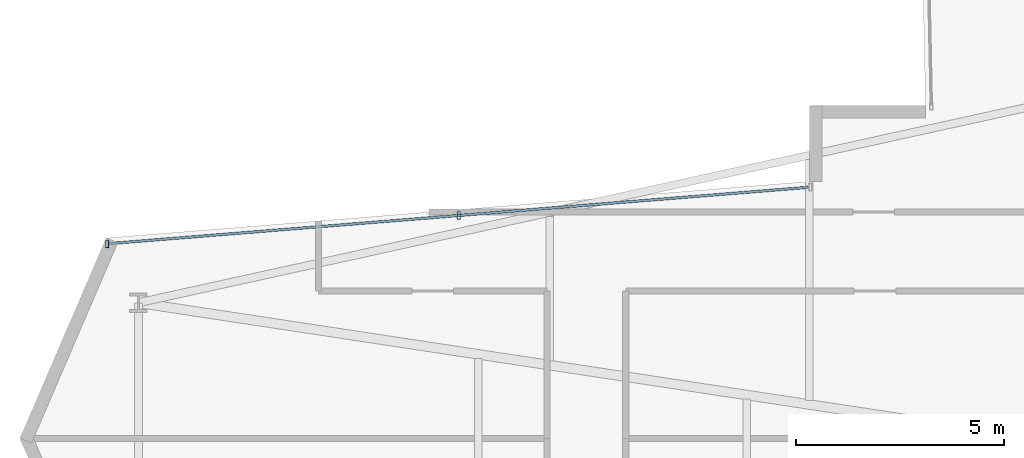
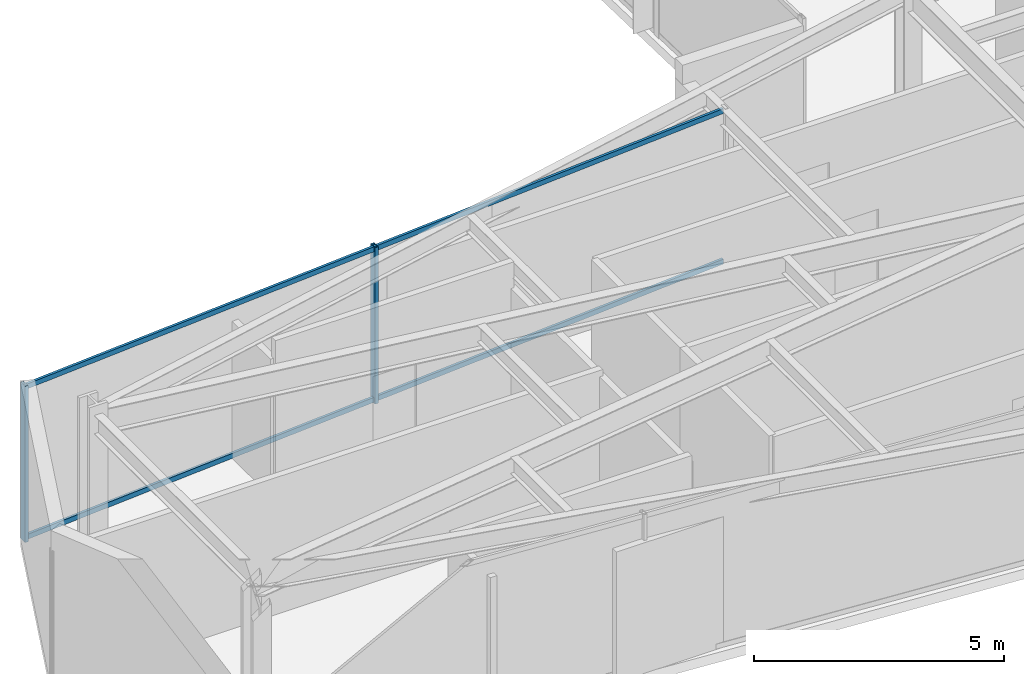
# One storey, part 7 of 23: 4 members, 1 element without a shape of its own.
"""IFC4 building model written with IfcOpenShell, lengths in metres."""

from ifc_helpers import new_model, si_unit, direction, frame, origin, origin_2d, place, context, subcontext, project, spatial, hollow_rectangle, extrude, material, layer, layer_set, material_profile, profile_set, type_object, element, aggregate, save


model = new_model("IFC4")

# Units and contexts
model_context = context("Model", 3, precision=1e-05, world=origin(), true_north=direction((0.0, 1.0)))
body_context = subcontext(model_context, "Body", "Model", "MODEL_VIEW")
ifc_project = project(units=[si_unit("LENGTHUNIT", "METRE"), si_unit("AREAUNIT", "SQUARE_METRE"), si_unit("VOLUMEUNIT", "CUBIC_METRE"), si_unit("PLANEANGLEUNIT", "RADIAN"), si_unit("MASSUNIT", "GRAM", prefix="KILO")], contexts=[model_context])

# Site, building, storey
site_placement = place(None, origin())
site = spatial("IfcSite", under=ifc_project, at=site_placement, CompositionType="ELEMENT")
building_placement = place(site_placement, origin())
building = spatial("IfcBuilding", under=site, at=building_placement, Name="Veymaron Broadcast Tower", CompositionType="ELEMENT")
storey_placement = place(building_placement, frame((0.0, 0.0, 94.5)))
storey = spatial("IfcBuildingStorey", under=building, at=storey_placement, Name="L21", CompositionType="ELEMENT", Elevation=94.5)

# Curtain wall, members
ifc_material_1 = material(Name="Anodised aluminium AA 6063-T6 and laminated low-E dark glass", Category="aluminium")
ifc_layer = layer(ifc_material_1, 0.179931640625)
ifc_layer_set = layer_set([ifc_layer], Name="Anodised aluminium AA 6063-T6 and laminated low-E dark glass")
curtain_wall_type = type_object("IfcCurtainWallType", Name="CW-SYS-02", PredefinedType="NOTDEFINED", material=ifc_layer_set)
curtain_wall_placement = place(storey_placement, origin())
curtain_wall = element("IfcCurtainWall", 1, at=curtain_wall_placement, inside=storey, type_object=curtain_wall_type, Name="L21 dark-glass curtain wall CW-L21-E11-1", PredefinedType="NOTDEFINED")
ifc_material_2 = material(Name="Anodised aluminium AA 6063-T6", Category="aluminium")
ifc_material_profile_1 = material_profile(ifc_material_2, hollow_rectangle(XDim=0.074951171875, YDim=0.179931640625, WallThickness=0.0048828125, at=origin_2d()), Name="AL180X75X5")
ifc_profile_set_1 = profile_set([ifc_material_profile_1], Name="Anodised aluminium AA 6063-T6")
member_type_1 = type_object("IfcMemberType", Name="CW-MUL-02", PredefinedType="MULLION", material=ifc_profile_set_1)
member_1_placement = place(storey_placement, frame((17.377197265625, 29.3671875, 0.0), z_axis=(0.0, 0.0, 1.0), x_axis=(1.0, 0.0, 0.0)))
member_1 = element("IfcMember", 2, at=member_1_placement, type_object=member_type_1, Name="CW-L21-E11-1 mullion 1", PredefinedType="MULLION", context=body_context, shape_type="SweptSolid", body=[
    extrude(hollow_rectangle(XDim=0.074951171875, YDim=0.179931640625, WallThickness=0.0048828125, at=origin_2d()), origin(), (0.0, 0.0, 1.0), 3.81005859375),
])
member_2_placement = place(storey_placement, frame((8.9111328125, 28.685791015625, 0.0), z_axis=(0.0, 0.0, 1.0), x_axis=(1.0, 0.0, 0.0)))
member_2 = element("IfcMember", 3, at=member_2_placement, type_object=member_type_1, Name="CW-L21-E11-1 mullion 2", PredefinedType="MULLION", context=body_context, shape_type="SweptSolid", body=[
    extrude(hollow_rectangle(XDim=0.074951171875, YDim=0.179931640625, WallThickness=0.0048828125, at=origin_2d()), origin(), (0.0, 0.0, 1.0), 3.81005859375),
])
ifc_material_profile_2 = material_profile(ifc_material_2, hollow_rectangle(XDim=0.06005859375, YDim=0.1201171875, WallThickness=0.00390625, at=origin_2d()), Name="AL120X60X4")
ifc_profile_set_2 = profile_set([ifc_material_profile_2], Name="Anodised aluminium AA 6063-T6")
member_type_2 = type_object("IfcMemberType", Name="CW-TRN-02", PredefinedType="USERDEFINED", material=ifc_profile_set_2)
member_3_placement = place(storey_placement, frame((25.79345703125, 30.044677734375, 0.070068359375), z_axis=(-0.996775714969, -0.080238233082, 0.0), x_axis=(0.080238233082, -0.996775714969, 0.0)))
member_3 = element("IfcMember", 4, at=member_3_placement, type_object=member_type_2, Name="CW-L21-E11-1 transom B", ObjectType="TRANSOM", PredefinedType="USERDEFINED", context=body_context, shape_type="SweptSolid", body=[
    extrude(hollow_rectangle(XDim=0.06005859375, YDim=0.1201171875, WallThickness=0.00390625, at=origin_2d()), origin(), (0.0, 0.0, 1.0), 16.886962890625),
])
member_4_placement = place(storey_placement, frame((25.79345703125, 30.044677734375, 3.739990234375), z_axis=(-0.996775714969, -0.080238233082, 0.0), x_axis=(0.080238233082, -0.996775714969, 0.0)))
member_4 = element("IfcMember", 5, at=member_4_placement, type_object=member_type_2, Name="CW-L21-E11-1 transom T", ObjectType="TRANSOM", PredefinedType="USERDEFINED", context=body_context, shape_type="SweptSolid", body=[
    extrude(hollow_rectangle(XDim=0.06005859375, YDim=0.1201171875, WallThickness=0.00390625, at=origin_2d()), origin(), (0.0, 0.0, 1.0), 16.886962890625),
])
aggregate(curtain_wall, [member_1, member_2, member_3, member_4])

save(model, "model.ifc")
